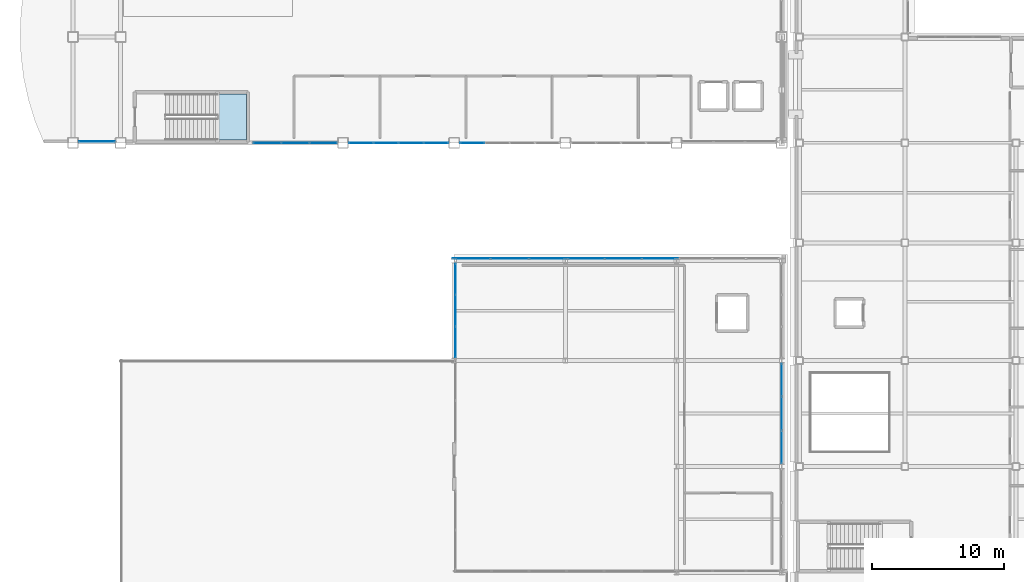
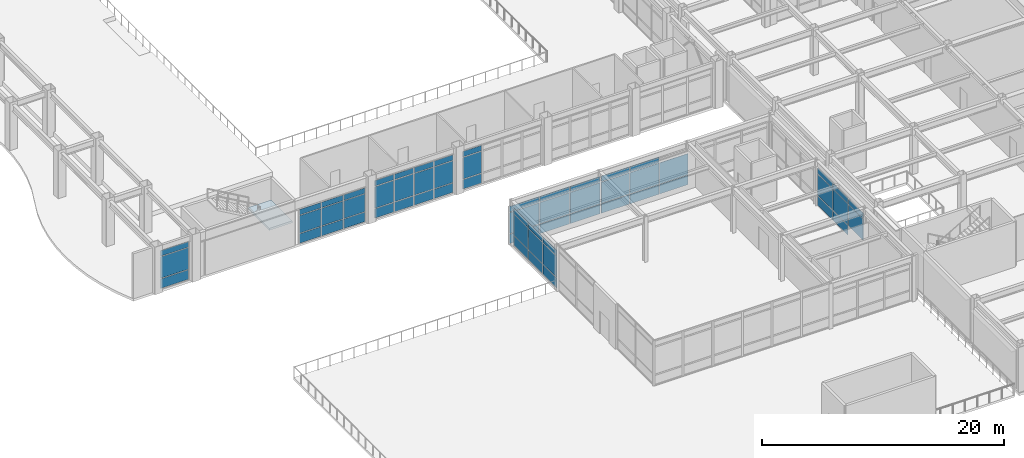
# One storey, part 115 of 154: 61 plates, 1 slab, 9 elements without a shape of their own.
"""IFC4 building model written with IfcOpenShell, lengths in metres."""

from ifc_helpers import new_model, si_unit, direction, frame, origin, origin_2d, place, context, subcontext, project, spatial, polyline, rectangle, outline, extrude, material, layer, layer_set, type_object, element, aggregate, save


model = new_model("IFC4")

# Units and contexts
model_context = context("Model", 3, precision=1e-05, world=origin(), true_north=direction((0.0, 1.0)))
body_context = subcontext(model_context, "Body", "Model", "MODEL_VIEW")
ifc_project = project(units=[si_unit("LENGTHUNIT", "METRE"), si_unit("AREAUNIT", "SQUARE_METRE"), si_unit("VOLUMEUNIT", "CUBIC_METRE"), si_unit("PLANEANGLEUNIT", "RADIAN"), si_unit("MASSUNIT", "GRAM", prefix="KILO")], contexts=[model_context])

# Site, building, storey
site_placement = place(None, origin())
site = spatial("IfcSite", under=ifc_project, at=site_placement, CompositionType="ELEMENT")
building_placement = place(site_placement, origin())
building = spatial("IfcBuilding", under=site, at=building_placement, Name="Kazehara Bluff Congress Hotel", CompositionType="ELEMENT")
storey_placement = place(building_placement, frame((0.0, 0.0, 10.199951171875)))
storey = spatial("IfcBuildingStorey", under=building, at=storey_placement, Name="L02", CompositionType="ELEMENT", Elevation=10.199951171875)

# Curtain wall, plates
ifc_material_1 = material(Name="Anodised aluminium", Category="aluminium")
ifc_layer_1 = layer(ifc_material_1, 0.159912109375)
ifc_layer_set_1 = layer_set([ifc_layer_1], Name="Anodised aluminium")
curtain_wall_type_1 = type_object("IfcCurtainWallType", Name="TP-CW-14", PredefinedType="NOTDEFINED", material=ifc_layer_set_1)
curtain_wall_1_placement = place(storey_placement, origin())
curtain_wall_1 = element("IfcCurtainWall", 1, at=curtain_wall_1_placement, inside=storey, type_object=curtain_wall_type_1, Name="L02 curtain wall CW-14 CW-V1-L02-Y4845-1840", PredefinedType="NOTDEFINED")
ifc_material_2 = material(Name="Insulated low-E double glazing", Category="glass")
ifc_layer_2 = layer(ifc_material_2, 0.028076171875)
ifc_layer_set_2 = layer_set([ifc_layer_2], Name="Insulated low-E double glazing")
plate_type_1 = type_object("IfcPlateType", Name="TP-CWP-01", PredefinedType="CURTAIN_PANEL", material=ifc_layer_set_2)
plate_1_placement = place(storey_placement, frame((19.481689453125, 48.449951171875, 0.06005859375), z_axis=(0.0, 0.0, 1.0), x_axis=(1.0, 0.0, 0.0)))
plate_1 = element("IfcPlate", 2, at=plate_1_placement, type_object=plate_type_1, Name="CW-14 panel 1.1", PredefinedType="CURTAIN_PANEL", context=body_context, shape_type="SweptSolid", body=[
    extrude(rectangle(XDim=2.043212890625, YDim=0.028076171875, at=origin_2d()), origin(), (0.0, 0.0, 1.0), 0.9599609375),
])
plate_2_placement = place(storey_placement, frame((19.481689453125, 48.449951171875, 1.080078125), z_axis=(0.0, 0.0, 1.0), x_axis=(1.0, 0.0, 0.0)))
plate_2 = element("IfcPlate", 3, at=plate_2_placement, type_object=plate_type_1, Name="CW-14 panel 1.2", PredefinedType="CURTAIN_PANEL", context=body_context, shape_type="SweptSolid", body=[
    extrude(rectangle(XDim=2.043212890625, YDim=0.028076171875, at=origin_2d()), origin(), (0.0, 0.0, 1.0), 1.77490234375),
])
plate_3_placement = place(storey_placement, frame((19.481689453125, 48.449951171875, 2.9150390625), z_axis=(0.0, 0.0, 1.0), x_axis=(1.0, 0.0, 0.0)))
plate_3 = element("IfcPlate", 4, at=plate_3_placement, type_object=plate_type_1, Name="CW-14 panel 1.3", PredefinedType="CURTAIN_PANEL", context=body_context, shape_type="SweptSolid", body=[
    extrude(rectangle(XDim=2.043212890625, YDim=0.028076171875, at=origin_2d()), origin(), (0.0, 0.0, 1.0), 0.56005859375),
])
plate_4_placement = place(storey_placement, frame((21.60009765625, 48.449951171875, 0.06005859375), z_axis=(0.0, 0.0, 1.0), x_axis=(1.0, 0.0, 0.0)))
plate_4 = element("IfcPlate", 5, at=plate_4_placement, type_object=plate_type_1, Name="CW-14 panel 2.1", PredefinedType="CURTAIN_PANEL", context=body_context, shape_type="SweptSolid", body=[
    extrude(rectangle(XDim=2.0732421875, YDim=0.028076171875, at=origin_2d()), origin(), (0.0, 0.0, 1.0), 0.9599609375),
])
plate_5_placement = place(storey_placement, frame((21.60009765625, 48.449951171875, 1.080078125), z_axis=(0.0, 0.0, 1.0), x_axis=(1.0, 0.0, 0.0)))
plate_5 = element("IfcPlate", 6, at=plate_5_placement, type_object=plate_type_1, Name="CW-14 panel 2.2", PredefinedType="CURTAIN_PANEL", context=body_context, shape_type="SweptSolid", body=[
    extrude(rectangle(XDim=2.0732421875, YDim=0.028076171875, at=origin_2d()), origin(), (0.0, 0.0, 1.0), 1.77490234375),
])
plate_6_placement = place(storey_placement, frame((21.60009765625, 48.449951171875, 2.9150390625), z_axis=(0.0, 0.0, 1.0), x_axis=(1.0, 0.0, 0.0)))
plate_6 = element("IfcPlate", 7, at=plate_6_placement, type_object=plate_type_1, Name="CW-14 panel 2.3", PredefinedType="CURTAIN_PANEL", context=body_context, shape_type="SweptSolid", body=[
    extrude(rectangle(XDim=2.0732421875, YDim=0.028076171875, at=origin_2d()), origin(), (0.0, 0.0, 1.0), 0.56005859375),
])
plate_7_placement = place(storey_placement, frame((23.71826171875, 48.449951171875, 0.06005859375), z_axis=(0.0, 0.0, 1.0), x_axis=(1.0, 0.0, 0.0)))
plate_7 = element("IfcPlate", 8, at=plate_7_placement, type_object=plate_type_1, Name="CW-14 panel 3.1", PredefinedType="CURTAIN_PANEL", context=body_context, shape_type="SweptSolid", body=[
    extrude(rectangle(XDim=2.043212890625, YDim=0.028076171875, at=origin_2d()), origin(), (0.0, 0.0, 1.0), 0.9599609375),
])
plate_8_placement = place(storey_placement, frame((23.71826171875, 48.449951171875, 1.080078125), z_axis=(0.0, 0.0, 1.0), x_axis=(1.0, 0.0, 0.0)))
plate_8 = element("IfcPlate", 9, at=plate_8_placement, type_object=plate_type_1, Name="CW-14 panel 3.2", PredefinedType="CURTAIN_PANEL", context=body_context, shape_type="SweptSolid", body=[
    extrude(rectangle(XDim=2.043212890625, YDim=0.028076171875, at=origin_2d()), origin(), (0.0, 0.0, 1.0), 1.77490234375),
])
plate_9_placement = place(storey_placement, frame((23.71826171875, 48.449951171875, 2.9150390625), z_axis=(0.0, 0.0, 1.0), x_axis=(1.0, 0.0, 0.0)))
plate_9 = element("IfcPlate", 10, at=plate_9_placement, type_object=plate_type_1, Name="CW-14 panel 3.3", PredefinedType="CURTAIN_PANEL", context=body_context, shape_type="SweptSolid", body=[
    extrude(rectangle(XDim=2.043212890625, YDim=0.028076171875, at=origin_2d()), origin(), (0.0, 0.0, 1.0), 0.56005859375),
])
aggregate(curtain_wall_1, [plate_1, plate_2, plate_3, plate_4, plate_5, plate_6, plate_7, plate_8, plate_9])

ifc_material_3 = material(Name="Anodised aluminium", Category="aluminium")
ifc_layer_3 = layer(ifc_material_3, 0.159912109375)
ifc_layer_set_3 = layer_set([ifc_layer_3], Name="Anodised aluminium")
curtain_wall_type_2 = type_object("IfcCurtainWallType", Name="TP-CW-15", PredefinedType="NOTDEFINED", material=ifc_layer_set_3)
curtain_wall_2_placement = place(storey_placement, origin())
curtain_wall_2 = element("IfcCurtainWall", 11, at=curtain_wall_2_placement, inside=storey, type_object=curtain_wall_type_2, Name="L02 curtain wall CW-15 CW-V1-L02-Y4845-2560", PredefinedType="NOTDEFINED")
plate_10_placement = place(storey_placement, frame((26.566162109375, 48.449951171875, 0.06494140625), z_axis=(0.0, 0.0, 1.0), x_axis=(1.0, 0.0, 0.0)))
plate_10 = element("IfcPlate", 12, at=plate_10_placement, type_object=plate_type_1, Name="CW-15 panel 1.1", PredefinedType="CURTAIN_PANEL", context=body_context, shape_type="SweptSolid", body=[
    extrude(rectangle(XDim=1.802490234375, YDim=0.028076171875, at=origin_2d()), origin(), (0.0, 0.0, 1.0), 0.952392578125),
])
plate_11_placement = place(storey_placement, frame((26.566162109375, 48.449951171875, 1.08251953125), z_axis=(0.0, 0.0, 1.0), x_axis=(1.0, 0.0, 0.0)))
plate_11 = element("IfcPlate", 13, at=plate_11_placement, type_object=plate_type_1, Name="CW-15 panel 1.2", PredefinedType="CURTAIN_PANEL", context=body_context, shape_type="SweptSolid", body=[
    extrude(rectangle(XDim=1.802490234375, YDim=0.028076171875, at=origin_2d()), origin(), (0.0, 0.0, 1.0), 2.169921875),
])
plate_12_placement = place(storey_placement, frame((26.566162109375, 48.449951171875, 3.3173828125), z_axis=(0.0, 0.0, 1.0), x_axis=(1.0, 0.0, 0.0)))
plate_12 = element("IfcPlate", 14, at=plate_12_placement, type_object=plate_type_1, Name="CW-15 panel 1.3", PredefinedType="CURTAIN_PANEL", context=body_context, shape_type="SweptSolid", body=[
    extrude(rectangle(XDim=1.802490234375, YDim=0.028076171875, at=origin_2d()), origin(), (0.0, 0.0, 1.0), 0.552490234375),
])
plate_13_placement = place(storey_placement, frame((28.449951171875, 48.449951171875, 0.06494140625), z_axis=(0.0, 0.0, 1.0), x_axis=(1.0, 0.0, 0.0)))
plate_13 = element("IfcPlate", 15, at=plate_13_placement, type_object=plate_type_1, Name="CW-15 panel 2.1", PredefinedType="CURTAIN_PANEL", context=body_context, shape_type="SweptSolid", body=[
    extrude(rectangle(XDim=1.8349609375, YDim=0.028076171875, at=origin_2d()), origin(), (0.0, 0.0, 1.0), 0.952392578125),
])
plate_14_placement = place(storey_placement, frame((28.449951171875, 48.449951171875, 1.08251953125), z_axis=(0.0, 0.0, 1.0), x_axis=(1.0, 0.0, 0.0)))
plate_14 = element("IfcPlate", 16, at=plate_14_placement, type_object=plate_type_1, Name="CW-15 panel 2.2", PredefinedType="CURTAIN_PANEL", context=body_context, shape_type="SweptSolid", body=[
    extrude(rectangle(XDim=1.8349609375, YDim=0.028076171875, at=origin_2d()), origin(), (0.0, 0.0, 1.0), 2.169921875),
])
plate_15_placement = place(storey_placement, frame((28.449951171875, 48.449951171875, 3.3173828125), z_axis=(0.0, 0.0, 1.0), x_axis=(1.0, 0.0, 0.0)))
plate_15 = element("IfcPlate", 17, at=plate_15_placement, type_object=plate_type_1, Name="CW-15 panel 2.3", PredefinedType="CURTAIN_PANEL", context=body_context, shape_type="SweptSolid", body=[
    extrude(rectangle(XDim=1.8349609375, YDim=0.028076171875, at=origin_2d()), origin(), (0.0, 0.0, 1.0), 0.552490234375),
])
plate_16_placement = place(storey_placement, frame((30.35009765625, 48.449951171875, 0.06494140625), z_axis=(0.0, 0.0, 1.0), x_axis=(1.0, 0.0, 0.0)))
plate_16 = element("IfcPlate", 18, at=plate_16_placement, type_object=plate_type_1, Name="CW-15 panel 3.1", PredefinedType="CURTAIN_PANEL", context=body_context, shape_type="SweptSolid", body=[
    extrude(rectangle(XDim=1.8349609375, YDim=0.028076171875, at=origin_2d()), origin(), (0.0, 0.0, 1.0), 0.952392578125),
])
plate_17_placement = place(storey_placement, frame((30.35009765625, 48.449951171875, 1.08251953125), z_axis=(0.0, 0.0, 1.0), x_axis=(1.0, 0.0, 0.0)))
plate_17 = element("IfcPlate", 19, at=plate_17_placement, type_object=plate_type_1, Name="CW-15 panel 3.2", PredefinedType="CURTAIN_PANEL", context=body_context, shape_type="SweptSolid", body=[
    extrude(rectangle(XDim=1.8349609375, YDim=0.028076171875, at=origin_2d()), origin(), (0.0, 0.0, 1.0), 2.169921875),
])
plate_18_placement = place(storey_placement, frame((30.35009765625, 48.449951171875, 3.3173828125), z_axis=(0.0, 0.0, 1.0), x_axis=(1.0, 0.0, 0.0)))
plate_18 = element("IfcPlate", 20, at=plate_18_placement, type_object=plate_type_1, Name="CW-15 panel 3.3", PredefinedType="CURTAIN_PANEL", context=body_context, shape_type="SweptSolid", body=[
    extrude(rectangle(XDim=1.8349609375, YDim=0.028076171875, at=origin_2d()), origin(), (0.0, 0.0, 1.0), 0.552490234375),
])
plate_19_placement = place(storey_placement, frame((32.233642578125, 48.449951171875, 0.06494140625), z_axis=(0.0, 0.0, 1.0), x_axis=(1.0, 0.0, 0.0)))
plate_19 = element("IfcPlate", 21, at=plate_19_placement, type_object=plate_type_1, Name="CW-15 panel 4.1", PredefinedType="CURTAIN_PANEL", context=body_context, shape_type="SweptSolid", body=[
    extrude(rectangle(XDim=1.802490234375, YDim=0.028076171875, at=origin_2d()), origin(), (0.0, 0.0, 1.0), 0.952392578125),
])
plate_20_placement = place(storey_placement, frame((32.233642578125, 48.449951171875, 1.08251953125), z_axis=(0.0, 0.0, 1.0), x_axis=(1.0, 0.0, 0.0)))
plate_20 = element("IfcPlate", 22, at=plate_20_placement, type_object=plate_type_1, Name="CW-15 panel 4.2", PredefinedType="CURTAIN_PANEL", context=body_context, shape_type="SweptSolid", body=[
    extrude(rectangle(XDim=1.802490234375, YDim=0.028076171875, at=origin_2d()), origin(), (0.0, 0.0, 1.0), 2.169921875),
])
plate_21_placement = place(storey_placement, frame((32.233642578125, 48.449951171875, 3.3173828125), z_axis=(0.0, 0.0, 1.0), x_axis=(1.0, 0.0, 0.0)))
plate_21 = element("IfcPlate", 23, at=plate_21_placement, type_object=plate_type_1, Name="CW-15 panel 4.3", PredefinedType="CURTAIN_PANEL", context=body_context, shape_type="SweptSolid", body=[
    extrude(rectangle(XDim=1.802490234375, YDim=0.028076171875, at=origin_2d()), origin(), (0.0, 0.0, 1.0), 0.552490234375),
])
aggregate(curtain_wall_2, [plate_10, plate_11, plate_12, plate_13, plate_14, plate_15, plate_16, plate_17, plate_18, plate_19, plate_20, plate_21])

curtain_wall_3_placement = place(storey_placement, origin())
curtain_wall_3 = element("IfcCurtainWall", 24, at=curtain_wall_3_placement, inside=storey, type_object=curtain_wall_type_2, Name="L02 curtain wall CW-15 CW-V1-L02-Y4845-3400", PredefinedType="NOTDEFINED")
plate_22_placement = place(storey_placement, frame((34.96630859375, 48.449951171875, 0.06494140625), z_axis=(0.0, 0.0, 1.0), x_axis=(1.0, 0.0, 0.0)))
plate_22 = element("IfcPlate", 25, at=plate_22_placement, type_object=plate_type_1, Name="CW-15 panel 1.1", PredefinedType="CURTAIN_PANEL", context=body_context, shape_type="SweptSolid", body=[
    extrude(rectangle(XDim=1.802490234375, YDim=0.028076171875, at=origin_2d()), origin(), (0.0, 0.0, 1.0), 0.952392578125),
])
plate_23_placement = place(storey_placement, frame((34.96630859375, 48.449951171875, 1.08251953125), z_axis=(0.0, 0.0, 1.0), x_axis=(1.0, 0.0, 0.0)))
plate_23 = element("IfcPlate", 26, at=plate_23_placement, type_object=plate_type_1, Name="CW-15 panel 1.2", PredefinedType="CURTAIN_PANEL", context=body_context, shape_type="SweptSolid", body=[
    extrude(rectangle(XDim=1.802490234375, YDim=0.028076171875, at=origin_2d()), origin(), (0.0, 0.0, 1.0), 2.169921875),
])
plate_24_placement = place(storey_placement, frame((34.96630859375, 48.449951171875, 3.3173828125), z_axis=(0.0, 0.0, 1.0), x_axis=(1.0, 0.0, 0.0)))
plate_24 = element("IfcPlate", 27, at=plate_24_placement, type_object=plate_type_1, Name="CW-15 panel 1.3", PredefinedType="CURTAIN_PANEL", context=body_context, shape_type="SweptSolid", body=[
    extrude(rectangle(XDim=1.802490234375, YDim=0.028076171875, at=origin_2d()), origin(), (0.0, 0.0, 1.0), 0.552490234375),
])
aggregate(curtain_wall_3, [plate_22, plate_23, plate_24])

ifc_material_4 = material(Name="Anodised aluminium", Category="aluminium")
ifc_layer_4 = layer(ifc_material_4, 0.159912109375)
ifc_layer_set_4 = layer_set([ifc_layer_4], Name="Anodised aluminium")
curtain_wall_type_3 = type_object("IfcCurtainWallType", Name="TP-CW-22", PredefinedType="NOTDEFINED", material=ifc_layer_set_4)
curtain_wall_4_placement = place(storey_placement, origin())
curtain_wall_4 = element("IfcCurtainWall", 28, at=curtain_wall_4_placement, inside=storey, type_object=curtain_wall_type_3, Name="L02 curtain wall CW-22 CW-V2-L02-X5835-2418", PredefinedType="NOTDEFINED")
plate_25_placement = place(storey_placement, frame((58.35009765625, 25.46630859375, 1.08251953125), z_axis=(0.0, 0.0, 1.0), x_axis=(0.0, 1.0, 0.0)))
plate_25 = element("IfcPlate", 29, at=plate_25_placement, type_object=plate_type_1, Name="CW-22 panel 1.2", PredefinedType="CURTAIN_PANEL", context=body_context, shape_type="SweptSolid", body=[
    extrude(rectangle(XDim=2.452392578125, YDim=0.028076171875, at=origin_2d()), origin(), (0.0, 0.0, 1.0), 2.1201171875),
])
plate_26_placement = place(storey_placement, frame((58.35009765625, 25.46630859375, 3.267578125), z_axis=(0.0, 0.0, 1.0), x_axis=(0.0, 1.0, 0.0)))
plate_26 = element("IfcPlate", 30, at=plate_26_placement, type_object=plate_type_1, Name="CW-22 panel 1.3", PredefinedType="CURTAIN_PANEL", context=body_context, shape_type="SweptSolid", body=[
    extrude(rectangle(XDim=2.452392578125, YDim=0.028076171875, at=origin_2d()), origin(), (0.0, 0.0, 1.0), 0.552490234375),
])
plate_27_placement = place(storey_placement, frame((58.35009765625, 28.0, 0.06494140625), z_axis=(0.0, 0.0, 1.0), x_axis=(0.0, 1.0, 0.0)))
plate_27 = element("IfcPlate", 31, at=plate_27_placement, type_object=plate_type_1, Name="CW-22 panel 2.1", PredefinedType="CURTAIN_PANEL", context=body_context, shape_type="SweptSolid", body=[
    extrude(rectangle(XDim=2.485107421875, YDim=0.028076171875, at=origin_2d()), origin(), (0.0, 0.0, 1.0), 0.952392578125),
])
plate_28_placement = place(storey_placement, frame((58.35009765625, 28.0, 1.08251953125), z_axis=(0.0, 0.0, 1.0), x_axis=(0.0, 1.0, 0.0)))
plate_28 = element("IfcPlate", 32, at=plate_28_placement, type_object=plate_type_1, Name="CW-22 panel 2.2", PredefinedType="CURTAIN_PANEL", context=body_context, shape_type="SweptSolid", body=[
    extrude(rectangle(XDim=2.485107421875, YDim=0.028076171875, at=origin_2d()), origin(), (0.0, 0.0, 1.0), 2.1201171875),
])
plate_29_placement = place(storey_placement, frame((58.35009765625, 28.0, 3.267578125), z_axis=(0.0, 0.0, 1.0), x_axis=(0.0, 1.0, 0.0)))
plate_29 = element("IfcPlate", 33, at=plate_29_placement, type_object=plate_type_1, Name="CW-22 panel 2.3", PredefinedType="CURTAIN_PANEL", context=body_context, shape_type="SweptSolid", body=[
    extrude(rectangle(XDim=2.485107421875, YDim=0.028076171875, at=origin_2d()), origin(), (0.0, 0.0, 1.0), 0.552490234375),
])
plate_30_placement = place(storey_placement, frame((58.35009765625, 30.53369140625, 0.06494140625), z_axis=(0.0, 0.0, 1.0), x_axis=(0.0, 1.0, 0.0)))
plate_30 = element("IfcPlate", 34, at=plate_30_placement, type_object=plate_type_1, Name="CW-22 panel 3.1", PredefinedType="CURTAIN_PANEL", context=body_context, shape_type="SweptSolid", body=[
    extrude(rectangle(XDim=2.452392578125, YDim=0.028076171875, at=origin_2d()), origin(), (0.0, 0.0, 1.0), 0.952392578125),
])
plate_31_placement = place(storey_placement, frame((58.35009765625, 30.53369140625, 1.08251953125), z_axis=(0.0, 0.0, 1.0), x_axis=(0.0, 1.0, 0.0)))
plate_31 = element("IfcPlate", 35, at=plate_31_placement, type_object=plate_type_1, Name="CW-22 panel 3.2", PredefinedType="CURTAIN_PANEL", context=body_context, shape_type="SweptSolid", body=[
    extrude(rectangle(XDim=2.452392578125, YDim=0.028076171875, at=origin_2d()), origin(), (0.0, 0.0, 1.0), 2.1201171875),
])
plate_32_placement = place(storey_placement, frame((58.35009765625, 30.53369140625, 3.267578125), z_axis=(0.0, 0.0, 1.0), x_axis=(0.0, 1.0, 0.0)))
plate_32 = element("IfcPlate", 36, at=plate_32_placement, type_object=plate_type_1, Name="CW-22 panel 3.3", PredefinedType="CURTAIN_PANEL", context=body_context, shape_type="SweptSolid", body=[
    extrude(rectangle(XDim=2.452392578125, YDim=0.028076171875, at=origin_2d()), origin(), (0.0, 0.0, 1.0), 0.552490234375),
])
aggregate(curtain_wall_4, [plate_25, plate_26, plate_27, plate_28, plate_29, plate_30, plate_31, plate_32])

ifc_material_5 = material(Name="Anodised aluminium", Category="aluminium")
ifc_layer_5 = layer(ifc_material_5, 0.159912109375)
ifc_layer_set_5 = layer_set([ifc_layer_5], Name="Anodised aluminium")
curtain_wall_type_4 = type_object("IfcCurtainWallType", Name="TP-CW-130", PredefinedType="NOTDEFINED", material=ifc_layer_set_5)
curtain_wall_5_placement = place(storey_placement, origin())
curtain_wall_5 = element("IfcCurtainWall", 37, at=curtain_wall_5_placement, inside=storey, type_object=curtain_wall_type_4, Name="L02 curtain wall CW-130 CW-ENC-V2-L02-3780-3970", PredefinedType="NOTDEFINED")
plate_33_placement = place(storey_placement, frame((34.899658203125, 39.705078125, 0.06494140625), z_axis=(0.0, 0.0, 1.0), x_axis=(1.0, 0.0, 0.0)))
plate_33 = element("IfcPlate", 38, at=plate_33_placement, type_object=plate_type_1, Name="CW-130 panel 1.1", PredefinedType="CURTAIN_PANEL", context=body_context, shape_type="SweptSolid", body=[
    extrude(rectangle(XDim=2.819091796875, YDim=0.028076171875, at=origin_2d()), origin(), (0.0, 0.0, 1.0), 0.952392578125),
])
plate_34_placement = place(storey_placement, frame((34.899658203125, 39.705078125, 1.08251953125), z_axis=(0.0, 0.0, 1.0), x_axis=(1.0, 0.0, 0.0)))
plate_34 = element("IfcPlate", 39, at=plate_34_placement, type_object=plate_type_1, Name="CW-130 panel 1.2", PredefinedType="CURTAIN_PANEL", context=body_context, shape_type="SweptSolid", body=[
    extrude(rectangle(XDim=2.819091796875, YDim=0.028076171875, at=origin_2d()), origin(), (0.0, 0.0, 1.0), 2.1201171875),
])
plate_35_placement = place(storey_placement, frame((34.899658203125, 39.705078125, 3.267578125), z_axis=(0.0, 0.0, 1.0), x_axis=(1.0, 0.0, 0.0)))
plate_35 = element("IfcPlate", 40, at=plate_35_placement, type_object=plate_type_1, Name="CW-130 panel 1.3", PredefinedType="CURTAIN_PANEL", context=body_context, shape_type="SweptSolid", body=[
    extrude(rectangle(XDim=2.819091796875, YDim=0.028076171875, at=origin_2d()), origin(), (0.0, 0.0, 1.0), 0.552490234375),
])
plate_36_placement = place(storey_placement, frame((37.800048828125, 39.705078125, 0.06494140625), z_axis=(0.0, 0.0, 1.0), x_axis=(1.0, 0.0, 0.0)))
plate_36 = element("IfcPlate", 41, at=plate_36_placement, type_object=plate_type_1, Name="CW-130 panel 2.1", PredefinedType="CURTAIN_PANEL", context=body_context, shape_type="SweptSolid", body=[
    extrude(rectangle(XDim=2.8515625, YDim=0.028076171875, at=origin_2d()), origin(), (0.0, 0.0, 1.0), 0.952392578125),
])
plate_37_placement = place(storey_placement, frame((37.800048828125, 39.705078125, 1.08251953125), z_axis=(0.0, 0.0, 1.0), x_axis=(1.0, 0.0, 0.0)))
plate_37 = element("IfcPlate", 42, at=plate_37_placement, type_object=plate_type_1, Name="CW-130 panel 2.2", PredefinedType="CURTAIN_PANEL", context=body_context, shape_type="SweptSolid", body=[
    extrude(rectangle(XDim=2.8515625, YDim=0.028076171875, at=origin_2d()), origin(), (0.0, 0.0, 1.0), 2.1201171875),
])
plate_38_placement = place(storey_placement, frame((37.800048828125, 39.705078125, 3.267578125), z_axis=(0.0, 0.0, 1.0), x_axis=(1.0, 0.0, 0.0)))
plate_38 = element("IfcPlate", 43, at=plate_38_placement, type_object=plate_type_1, Name="CW-130 panel 2.3", PredefinedType="CURTAIN_PANEL", context=body_context, shape_type="SweptSolid", body=[
    extrude(rectangle(XDim=2.8515625, YDim=0.028076171875, at=origin_2d()), origin(), (0.0, 0.0, 1.0), 0.552490234375),
])
plate_39_placement = place(storey_placement, frame((40.700439453125, 39.705078125, 0.06494140625), z_axis=(0.0, 0.0, 1.0), x_axis=(1.0, 0.0, 0.0)))
plate_39 = element("IfcPlate", 44, at=plate_39_placement, type_object=plate_type_1, Name="CW-130 panel 3.1", PredefinedType="CURTAIN_PANEL", context=body_context, shape_type="SweptSolid", body=[
    extrude(rectangle(XDim=2.819091796875, YDim=0.028076171875, at=origin_2d()), origin(), (0.0, 0.0, 1.0), 0.952392578125),
])
plate_40_placement = place(storey_placement, frame((40.700439453125, 39.705078125, 1.08251953125), z_axis=(0.0, 0.0, 1.0), x_axis=(1.0, 0.0, 0.0)))
plate_40 = element("IfcPlate", 45, at=plate_40_placement, type_object=plate_type_1, Name="CW-130 panel 3.2", PredefinedType="CURTAIN_PANEL", context=body_context, shape_type="SweptSolid", body=[
    extrude(rectangle(XDim=2.819091796875, YDim=0.028076171875, at=origin_2d()), origin(), (0.0, 0.0, 1.0), 2.1201171875),
])
plate_41_placement = place(storey_placement, frame((40.700439453125, 39.705078125, 3.267578125), z_axis=(0.0, 0.0, 1.0), x_axis=(1.0, 0.0, 0.0)))
plate_41 = element("IfcPlate", 46, at=plate_41_placement, type_object=plate_type_1, Name="CW-130 panel 3.3", PredefinedType="CURTAIN_PANEL", context=body_context, shape_type="SweptSolid", body=[
    extrude(rectangle(XDim=2.819091796875, YDim=0.028076171875, at=origin_2d()), origin(), (0.0, 0.0, 1.0), 0.552490234375),
])
aggregate(curtain_wall_5, [plate_33, plate_34, plate_35, plate_36, plate_37, plate_38, plate_39, plate_40, plate_41])

ifc_material_6 = material(Name="Anodised aluminium", Category="aluminium")
ifc_layer_6 = layer(ifc_material_6, 0.159912109375)
ifc_layer_set_6 = layer_set([ifc_layer_6], Name="Anodised aluminium")
curtain_wall_type_5 = type_object("IfcCurtainWallType", Name="TP-CW-131", PredefinedType="NOTDEFINED", material=ifc_layer_set_6)
curtain_wall_6_placement = place(storey_placement, origin())
curtain_wall_6 = element("IfcCurtainWall", 47, at=curtain_wall_6_placement, inside=storey, type_object=curtain_wall_type_5, Name="L02 curtain wall CW-131 CW-ENC-V2-L02-4638-3970", PredefinedType="NOTDEFINED")
plate_42_placement = place(storey_placement, frame((43.59130859375, 39.705078125, 0.06494140625), z_axis=(0.0, 0.0, 1.0), x_axis=(1.0, 0.0, 0.0)))
plate_42 = element("IfcPlate", 48, at=plate_42_placement, type_object=plate_type_1, Name="CW-131 panel 1.1", PredefinedType="CURTAIN_PANEL", context=body_context, shape_type="SweptSolid", body=[
    extrude(rectangle(XDim=2.702392578125, YDim=0.028076171875, at=origin_2d()), origin(), (0.0, 0.0, 1.0), 0.952392578125),
])
plate_43_placement = place(storey_placement, frame((43.59130859375, 39.705078125, 1.08251953125), z_axis=(0.0, 0.0, 1.0), x_axis=(1.0, 0.0, 0.0)))
plate_43 = element("IfcPlate", 49, at=plate_43_placement, type_object=plate_type_1, Name="CW-131 panel 1.2", PredefinedType="CURTAIN_PANEL", context=body_context, shape_type="SweptSolid", body=[
    extrude(rectangle(XDim=2.702392578125, YDim=0.028076171875, at=origin_2d()), origin(), (0.0, 0.0, 1.0), 2.1201171875),
])
plate_44_placement = place(storey_placement, frame((43.59130859375, 39.705078125, 3.267578125), z_axis=(0.0, 0.0, 1.0), x_axis=(1.0, 0.0, 0.0)))
plate_44 = element("IfcPlate", 50, at=plate_44_placement, type_object=plate_type_1, Name="CW-131 panel 1.3", PredefinedType="CURTAIN_PANEL", context=body_context, shape_type="SweptSolid", body=[
    extrude(rectangle(XDim=2.702392578125, YDim=0.028076171875, at=origin_2d()), origin(), (0.0, 0.0, 1.0), 0.552490234375),
])
plate_45_placement = place(storey_placement, frame((46.375, 39.705078125, 0.06494140625), z_axis=(0.0, 0.0, 1.0), x_axis=(1.0, 0.0, 0.0)))
plate_45 = element("IfcPlate", 51, at=plate_45_placement, type_object=plate_type_1, Name="CW-131 panel 2.1", PredefinedType="CURTAIN_PANEL", context=body_context, shape_type="SweptSolid", body=[
    extrude(rectangle(XDim=2.735107421875, YDim=0.028076171875, at=origin_2d()), origin(), (0.0, 0.0, 1.0), 0.952392578125),
])
plate_46_placement = place(storey_placement, frame((46.375, 39.705078125, 1.08251953125), z_axis=(0.0, 0.0, 1.0), x_axis=(1.0, 0.0, 0.0)))
plate_46 = element("IfcPlate", 52, at=plate_46_placement, type_object=plate_type_1, Name="CW-131 panel 2.2", PredefinedType="CURTAIN_PANEL", context=body_context, shape_type="SweptSolid", body=[
    extrude(rectangle(XDim=2.735107421875, YDim=0.028076171875, at=origin_2d()), origin(), (0.0, 0.0, 1.0), 2.1201171875),
])
plate_47_placement = place(storey_placement, frame((46.375, 39.705078125, 3.267578125), z_axis=(0.0, 0.0, 1.0), x_axis=(1.0, 0.0, 0.0)))
plate_47 = element("IfcPlate", 53, at=plate_47_placement, type_object=plate_type_1, Name="CW-131 panel 2.3", PredefinedType="CURTAIN_PANEL", context=body_context, shape_type="SweptSolid", body=[
    extrude(rectangle(XDim=2.735107421875, YDim=0.028076171875, at=origin_2d()), origin(), (0.0, 0.0, 1.0), 0.552490234375),
])
plate_48_placement = place(storey_placement, frame((49.15869140625, 39.705078125, 0.06494140625), z_axis=(0.0, 0.0, 1.0), x_axis=(1.0, 0.0, 0.0)))
plate_48 = element("IfcPlate", 54, at=plate_48_placement, type_object=plate_type_1, Name="CW-131 panel 3.1", PredefinedType="CURTAIN_PANEL", context=body_context, shape_type="SweptSolid", body=[
    extrude(rectangle(XDim=2.702392578125, YDim=0.028076171875, at=origin_2d()), origin(), (0.0, 0.0, 1.0), 0.952392578125),
])
plate_49_placement = place(storey_placement, frame((49.15869140625, 39.705078125, 1.08251953125), z_axis=(0.0, 0.0, 1.0), x_axis=(1.0, 0.0, 0.0)))
plate_49 = element("IfcPlate", 55, at=plate_49_placement, type_object=plate_type_1, Name="CW-131 panel 3.2", PredefinedType="CURTAIN_PANEL", context=body_context, shape_type="SweptSolid", body=[
    extrude(rectangle(XDim=2.702392578125, YDim=0.028076171875, at=origin_2d()), origin(), (0.0, 0.0, 1.0), 2.1201171875),
])
aggregate(curtain_wall_6, [plate_42, plate_43, plate_44, plate_45, plate_46, plate_47, plate_48, plate_49])

ifc_material_7 = material(Name="Anodised aluminium", Category="aluminium")
ifc_layer_7 = layer(ifc_material_7, 0.159912109375)
ifc_layer_set_7 = layer_set([ifc_layer_7], Name="Anodised aluminium")
curtain_wall_type_6 = type_object("IfcCurtainWallType", Name="TP-CW-134", PredefinedType="NOTDEFINED", material=ifc_layer_set_7)
curtain_wall_7_placement = place(storey_placement, origin())
curtain_wall_7 = element("IfcCurtainWall", 56, at=curtain_wall_7_placement, inside=storey, type_object=curtain_wall_type_6, Name="L02 curtain wall CW-134 CW-ENC-V2-L02-3370-3578", PredefinedType="NOTDEFINED")
plate_50_placement = place(storey_placement, frame((33.699951171875, 33.391357421875, 0.06494140625), z_axis=(0.0, 0.0, 1.0), x_axis=(0.0, 1.0, 0.0)))
plate_50 = element("IfcPlate", 57, at=plate_50_placement, type_object=plate_type_1, Name="CW-134 panel 1.1", PredefinedType="CURTAIN_PANEL", context=body_context, shape_type="SweptSolid", body=[
    extrude(rectangle(XDim=2.302490234375, YDim=0.028076171875, at=origin_2d()), origin(), (0.0, 0.0, 1.0), 0.952392578125),
])
plate_51_placement = place(storey_placement, frame((33.699951171875, 33.391357421875, 1.08251953125), z_axis=(0.0, 0.0, 1.0), x_axis=(0.0, 1.0, 0.0)))
plate_51 = element("IfcPlate", 58, at=plate_51_placement, type_object=plate_type_1, Name="CW-134 panel 1.2", PredefinedType="CURTAIN_PANEL", context=body_context, shape_type="SweptSolid", body=[
    extrude(rectangle(XDim=2.302490234375, YDim=0.028076171875, at=origin_2d()), origin(), (0.0, 0.0, 1.0), 2.1201171875),
])
plate_52_placement = place(storey_placement, frame((33.699951171875, 33.391357421875, 3.267578125), z_axis=(0.0, 0.0, 1.0), x_axis=(0.0, 1.0, 0.0)))
plate_52 = element("IfcPlate", 59, at=plate_52_placement, type_object=plate_type_1, Name="CW-134 panel 1.3", PredefinedType="CURTAIN_PANEL", context=body_context, shape_type="SweptSolid", body=[
    extrude(rectangle(XDim=2.302490234375, YDim=0.028076171875, at=origin_2d()), origin(), (0.0, 0.0, 1.0), 0.552490234375),
])
plate_53_placement = place(storey_placement, frame((33.699951171875, 35.77490234375, 0.06494140625), z_axis=(0.0, 0.0, 1.0), x_axis=(0.0, 1.0, 0.0)))
plate_53 = element("IfcPlate", 60, at=plate_53_placement, type_object=plate_type_1, Name="CW-134 panel 2.1", PredefinedType="CURTAIN_PANEL", context=body_context, shape_type="SweptSolid", body=[
    extrude(rectangle(XDim=2.3349609375, YDim=0.028076171875, at=origin_2d()), origin(), (0.0, 0.0, 1.0), 0.952392578125),
])
plate_54_placement = place(storey_placement, frame((33.699951171875, 35.77490234375, 1.08251953125), z_axis=(0.0, 0.0, 1.0), x_axis=(0.0, 1.0, 0.0)))
plate_54 = element("IfcPlate", 61, at=plate_54_placement, type_object=plate_type_1, Name="CW-134 panel 2.2", PredefinedType="CURTAIN_PANEL", context=body_context, shape_type="SweptSolid", body=[
    extrude(rectangle(XDim=2.3349609375, YDim=0.028076171875, at=origin_2d()), origin(), (0.0, 0.0, 1.0), 2.1201171875),
])
plate_55_placement = place(storey_placement, frame((33.699951171875, 35.77490234375, 3.267578125), z_axis=(0.0, 0.0, 1.0), x_axis=(0.0, 1.0, 0.0)))
plate_55 = element("IfcPlate", 62, at=plate_55_placement, type_object=plate_type_1, Name="CW-134 panel 2.3", PredefinedType="CURTAIN_PANEL", context=body_context, shape_type="SweptSolid", body=[
    extrude(rectangle(XDim=2.3349609375, YDim=0.028076171875, at=origin_2d()), origin(), (0.0, 0.0, 1.0), 0.552490234375),
])
plate_56_placement = place(storey_placement, frame((33.699951171875, 38.15869140625, 0.06494140625), z_axis=(0.0, 0.0, 1.0), x_axis=(0.0, 1.0, 0.0)))
plate_56 = element("IfcPlate", 63, at=plate_56_placement, type_object=plate_type_1, Name="CW-134 panel 3.1", PredefinedType="CURTAIN_PANEL", context=body_context, shape_type="SweptSolid", body=[
    extrude(rectangle(XDim=2.302490234375, YDim=0.028076171875, at=origin_2d()), origin(), (0.0, 0.0, 1.0), 0.952392578125),
])
plate_57_placement = place(storey_placement, frame((33.699951171875, 38.15869140625, 1.08251953125), z_axis=(0.0, 0.0, 1.0), x_axis=(0.0, 1.0, 0.0)))
plate_57 = element("IfcPlate", 64, at=plate_57_placement, type_object=plate_type_1, Name="CW-134 panel 3.2", PredefinedType="CURTAIN_PANEL", context=body_context, shape_type="SweptSolid", body=[
    extrude(rectangle(XDim=2.302490234375, YDim=0.028076171875, at=origin_2d()), origin(), (0.0, 0.0, 1.0), 2.1201171875),
])
plate_58_placement = place(storey_placement, frame((33.699951171875, 38.15869140625, 3.267578125), z_axis=(0.0, 0.0, 1.0), x_axis=(0.0, 1.0, 0.0)))
plate_58 = element("IfcPlate", 65, at=plate_58_placement, type_object=plate_type_1, Name="CW-134 panel 3.3", PredefinedType="CURTAIN_PANEL", context=body_context, shape_type="SweptSolid", body=[
    extrude(rectangle(XDim=2.302490234375, YDim=0.028076171875, at=origin_2d()), origin(), (0.0, 0.0, 1.0), 0.552490234375),
])
aggregate(curtain_wall_7, [plate_50, plate_51, plate_52, plate_53, plate_54, plate_55, plate_56, plate_57, plate_58])

ifc_material_8 = material(Name="Anodised aluminium", Category="aluminium")
ifc_layer_8 = layer(ifc_material_8, 0.159912109375)
ifc_layer_set_8 = layer_set([ifc_layer_8], Name="Anodised aluminium")
curtain_wall_type_7 = type_object("IfcCurtainWallType", Name="TP-CW-126", PredefinedType="NOTDEFINED", material=ifc_layer_set_8)
curtain_wall_8_placement = place(storey_placement, origin())
curtain_wall_8 = element("IfcCurtainWall", 66, at=curtain_wall_8_placement, inside=storey, type_object=curtain_wall_type_7, Name="L02 curtain wall CW-126 CW-ENC-V1-L02-660-4855", PredefinedType="NOTDEFINED")
ifc_material_9 = material(Name="Insulated low-E double glazing", Category="glass")
ifc_layer_9 = layer(ifc_material_9, 0.02001953125)
ifc_layer_set_9 = layer_set([ifc_layer_9], Name="Insulated low-E double glazing")
plate_type_2 = type_object("IfcPlateType", Name="TP-CWP-03", PredefinedType="CURTAIN_PANEL", material=ifc_layer_set_9)
plate_59_placement = place(storey_placement, frame((6.60009765625, 48.550048828125, 0.06005859375), z_axis=(0.0, 0.0, 1.0), x_axis=(-1.0, 0.0, 0.0)))
plate_59 = element("IfcPlate", 67, at=plate_59_placement, type_object=plate_type_2, Name="CW-126 panel 1.1", PredefinedType="CURTAIN_PANEL", context=body_context, shape_type="SweptSolid", body=[
    extrude(rectangle(XDim=2.679931640625, YDim=0.02001953125, at=origin_2d()), origin(), (0.0, 0.0, 1.0), 0.9599609375),
])
plate_60_placement = place(storey_placement, frame((6.60009765625, 48.550048828125, 1.080078125), z_axis=(0.0, 0.0, 1.0), x_axis=(-1.0, 0.0, 0.0)))
plate_60 = element("IfcPlate", 68, at=plate_60_placement, type_object=plate_type_2, Name="CW-126 panel 1.2", PredefinedType="CURTAIN_PANEL", context=body_context, shape_type="SweptSolid", body=[
    extrude(rectangle(XDim=2.679931640625, YDim=0.02001953125, at=origin_2d()), origin(), (0.0, 0.0, 1.0), 2.175048828125),
])
plate_61_placement = place(storey_placement, frame((6.60009765625, 48.550048828125, 3.31494140625), z_axis=(0.0, 0.0, 1.0), x_axis=(-1.0, 0.0, 0.0)))
plate_61 = element("IfcPlate", 69, at=plate_61_placement, type_object=plate_type_2, Name="CW-126 panel 1.3", PredefinedType="CURTAIN_PANEL", context=body_context, shape_type="SweptSolid", body=[
    extrude(rectangle(XDim=2.679931640625, YDim=0.02001953125, at=origin_2d()), origin(), (0.0, 0.0, 1.0), 0.56005859375),
])
aggregate(curtain_wall_8, [plate_59, plate_60, plate_61])

# Stair, slab
ifc_material_10 = material(Name="Concrete C36/45", Category="concrete")
stair_type = type_object("IfcStairType", Name="TP-ST-T02", PredefinedType="HALF_TURN_STAIR", material=ifc_material_10)
stair_placement = place(storey_placement, origin())
stair = element("IfcStair", 70, at=stair_placement, inside=storey, type_object=stair_type, Name="L02 Escape stair ST-03", PredefinedType="HALF_TURN_STAIR")
ifc_material_11 = material(Name="Concrete C36/45", Category="concrete")
ifc_layer_10 = layer(ifc_material_11, 0.199951171875)
ifc_layer_set_10 = layer_set([ifc_layer_10], Name="Concrete C36/45")
slab_type = type_object("IfcSlabType", Name="TP-SLD-200", PredefinedType="LANDING", material=ifc_layer_set_10)
slab_placement = place(storey_placement, frame((0.0, 0.0, 2.199951171875)))
slab = element("IfcSlab", 71, at=slab_placement, type_object=slab_type, Name="ST-03 landing 1", PredefinedType="LANDING", context=body_context, shape_type="SweptSolid", body=[
    extrude(outline(polyline([(15.699951171875, 48.64990234375), (17.89990234375, 48.64990234375), (17.89990234375, 52.14990234375), (15.699951171875, 52.14990234375), (15.699951171875, 48.64990234375)])), origin(), (0.0, 0.0, 1.0), 0.2001953125),
])
aggregate(stair, [slab])

save(model, "model.ifc")
